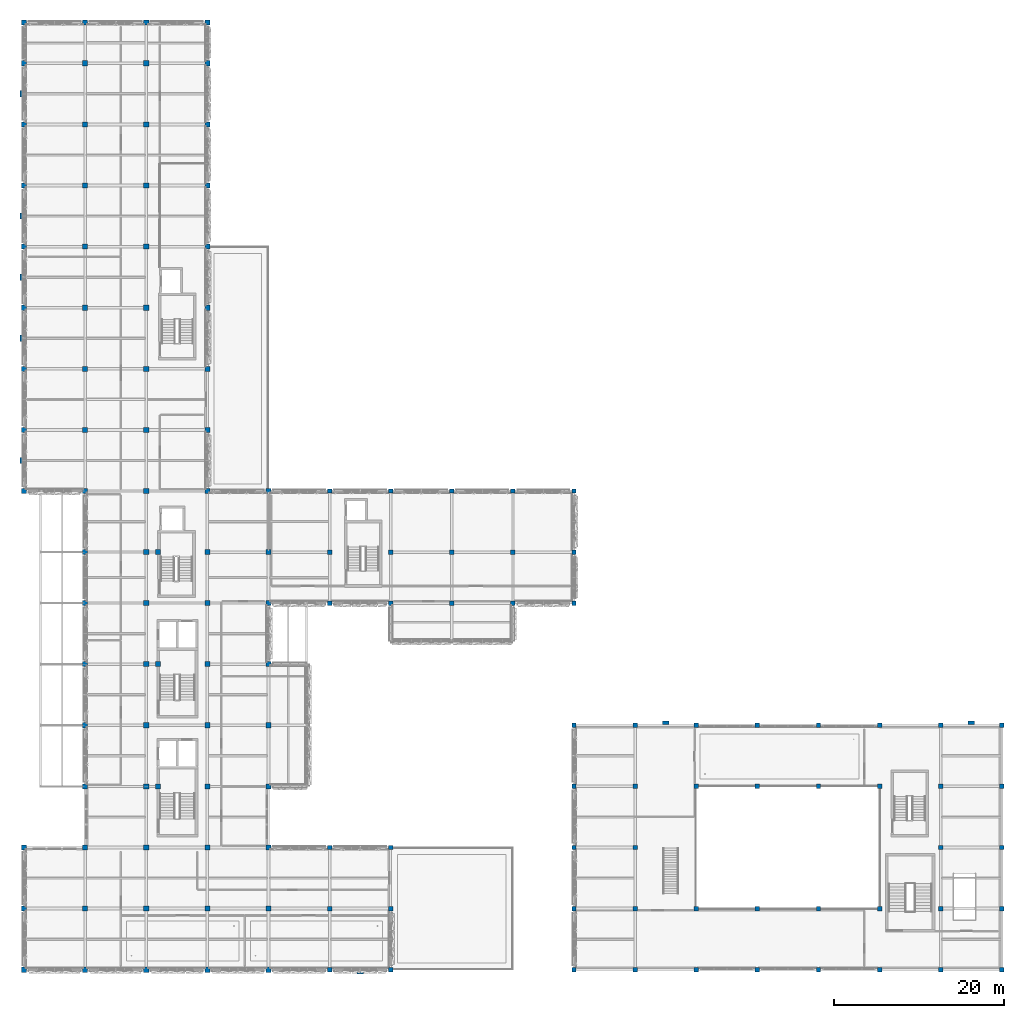
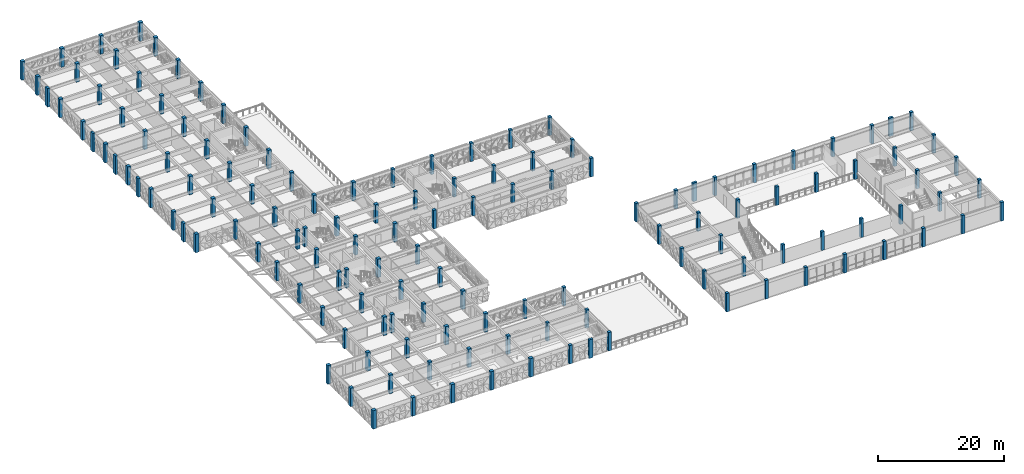
# One storey, part 1 of 99: 140 columns.
"""IFC4 building model written with IfcOpenShell, lengths in metres."""

from ifc_helpers import new_model, si_unit, direction, frame, origin, origin_2d, place, context, subcontext, project, spatial, rectangle, extrude, material, material_profile, profile_set, type_object, element, save


model = new_model("IFC4")

# Units and contexts
model_context = context("Model", 3, precision=1e-05, world=origin(), true_north=direction((0.0, 1.0)))
body_context = subcontext(model_context, "Body", "Model", "MODEL_VIEW")
ifc_project = project(units=[si_unit("LENGTHUNIT", "METRE"), si_unit("AREAUNIT", "SQUARE_METRE"), si_unit("VOLUMEUNIT", "CUBIC_METRE"), si_unit("PLANEANGLEUNIT", "RADIAN"), si_unit("MASSUNIT", "GRAM", prefix="KILO")], contexts=[model_context])

# Site, building, storey
site_placement = place(None, origin())
site = spatial("IfcSite", under=ifc_project, at=site_placement, CompositionType="ELEMENT")
building_placement = place(site_placement, origin())
building = spatial("IfcBuilding", under=site, at=building_placement, Name="Alvorim Cloister Faculty of Sciences", CompositionType="ELEMENT")
storey_placement = place(building_placement, frame((0.0, 0.0, 12.14990234375)))
storey = spatial("IfcBuildingStorey", under=building, at=storey_placement, Name="L03", CompositionType="ELEMENT", Elevation=12.14990234375)

# Columns
ifc_material_1 = material(Name="Glulam GL32h", Category="wood")
ifc_material_profile_1 = material_profile(ifc_material_1, rectangle(XDim=0.52001953125, YDim=0.52001953125, at=origin_2d()), Name="GL32-COL-520x520")
ifc_profile_set_1 = profile_set([ifc_material_profile_1], Name="Glulam GL32h")
column_type_1 = type_object("IfcColumnType", Name="COL-GL-520", PredefinedType="COLUMN", material=ifc_profile_set_1)
for number, where, z_axis, x_axis, name in (
    (1, (36.0, 0.0, 0.0), (0.0, 0.0, 1.0), (1.0, 0.0, 0.0), "L03 Column COL-0773"),
    (2, (36.0, 7.199951171875, 0.0), (0.0, 0.0, 1.0), (1.0, 0.0, 0.0), "L03 Column COL-0774"),
    (3, (36.0, 14.39990234375, 0.0), (0.0, 0.0, 1.0), (1.0, 0.0, 0.0), "L03 Column COL-0775"),
    (4, (36.0, 43.199951171875, 0.0), (0.0, 0.0, 1.0), (1.0, 0.0, 0.0), "L03 Column COL-0776"),
    (5, (36.0, 49.199951171875, 0.0), (0.0, 0.0, 1.0), (1.0, 0.0, 0.0), "L03 Column COL-0777"),
    (6, (36.0, 56.39990234375, 0.0), (0.0, 0.0, 1.0), (1.0, 0.0, 0.0), "L03 Column COL-0778"),
    (7, (43.199951171875, 0.0, 0.0), (0.0, 0.0, 1.0), (1.0, 0.0, 0.0), "L03 Column COL-0779"),
    (8, (43.199951171875, 7.199951171875, 0.0), (0.0, 0.0, 1.0), (1.0, 0.0, 0.0), "L03 Column COL-0780"),
    (9, (43.199951171875, 14.39990234375, 0.0), (0.0, 0.0, 1.0), (1.0, 0.0, 0.0), "L03 Column COL-0781"),
    (10, (43.199951171875, 43.199951171875, 0.0), (0.0, 0.0, 1.0), (1.0, 0.0, 0.0), "L03 Column COL-0782"),
    (11, (43.199951171875, 49.199951171875, 0.0), (0.0, 0.0, 1.0), (1.0, 0.0, 0.0), "L03 Column COL-0783"),
    (12, (43.199951171875, 56.39990234375, 0.0), (0.0, 0.0, 1.0), (1.0, 0.0, 0.0), "L03 Column COL-0784"),
    (13, (50.39990234375, 43.199951171875, 0.0), (0.0, 0.0, 1.0), (1.0, 0.0, 0.0), "L03 Column COL-0785"),
    (14, (50.39990234375, 49.199951171875, 0.0), (0.0, 0.0, 1.0), (1.0, 0.0, 0.0), "L03 Column COL-0786"),
    (15, (50.39990234375, 56.39990234375, 0.0), (0.0, 0.0, 1.0), (1.0, 0.0, 0.0), "L03 Column COL-0787"),
    (16, (57.60009765625, 43.199951171875, 0.0), (0.0, 0.0, 1.0), (1.0, 0.0, 0.0), "L03 Column COL-0788"),
    (17, (57.60009765625, 49.199951171875, 0.0), (0.0, 0.0, 1.0), (1.0, 0.0, 0.0), "L03 Column COL-0789"),
    (18, (57.60009765625, 56.39990234375, 0.0), (0.0, 0.0, 1.0), (1.0, 0.0, 0.0), "L03 Column COL-0790"),
    (19, (64.800048828125, 0.0, 0.0), (0.0, 0.0, 1.0), (1.0, 0.0, 0.0), "L03 Column COL-0791"),
    (20, (64.800048828125, 7.199951171875, 0.0), (0.0, 0.0, 1.0), (1.0, 0.0, 0.0), "L03 Column COL-0792"),
    (21, (64.800048828125, 14.39990234375, 0.0), (0.0, 0.0, 1.0), (1.0, 0.0, 0.0), "L03 Column COL-0793"),
    (22, (64.800048828125, 21.60009765625, 0.0), (0.0, 0.0, 1.0), (1.0, 0.0, 0.0), "L03 Column COL-0794"),
    (23, (64.800048828125, 28.800048828125, 0.0), (0.0, 0.0, 1.0), (1.0, 0.0, 0.0), "L03 Column COL-0795"),
    (24, (64.800048828125, 43.199951171875, 0.0), (0.0, 0.0, 1.0), (1.0, 0.0, 0.0), "L03 Column COL-0796"),
    (25, (64.800048828125, 49.199951171875, 0.0), (0.0, 0.0, 1.0), (1.0, 0.0, 0.0), "L03 Column COL-0797"),
    (26, (64.800048828125, 56.39990234375, 0.0), (0.0, 0.0, 1.0), (1.0, 0.0, 0.0), "L03 Column COL-0798"),
    (27, (72.0, 0.0, 0.0), (0.0, 0.0, 1.0), (1.0, 0.0, 0.0), "L03 Column COL-0799"),
    (28, (72.0, 7.199951171875, 0.0), (0.0, 0.0, 1.0), (1.0, 0.0, 0.0), "L03 Column COL-0800"),
    (29, (72.0, 14.39990234375, 0.0), (0.0, 0.0, 1.0), (1.0, 0.0, 0.0), "L03 Column COL-0801"),
    (30, (72.0, 21.60009765625, 0.0), (0.0, 0.0, 1.0), (1.0, 0.0, 0.0), "L03 Column COL-0802"),
    (31, (72.0, 28.800048828125, 0.0), (0.0, 0.0, 1.0), (1.0, 0.0, 0.0), "L03 Column COL-0803"),
    (32, (79.199951171875, 0.0, 0.0), (0.0, 0.0, 1.0), (1.0, 0.0, 0.0), "L03 Column COL-0804"),
    (33, (79.199951171875, 7.199951171875, 0.0), (0.0, 0.0, 1.0), (1.0, 0.0, 0.0), "L03 Column COL-0805"),
    (34, (79.199951171875, 21.60009765625, 0.0), (0.0, 0.0, 1.0), (1.0, 0.0, 0.0), "L03 Column COL-0806"),
    (35, (79.199951171875, 28.800048828125, 0.0), (0.0, 0.0, 1.0), (1.0, 0.0, 0.0), "L03 Column COL-0807"),
    (36, (86.39990234375, 0.0, 0.0), (0.0, 0.0, 1.0), (1.0, 0.0, 0.0), "L03 Column COL-0808"),
    (37, (86.39990234375, 7.199951171875, 0.0), (0.0, 0.0, 1.0), (1.0, 0.0, 0.0), "L03 Column COL-0809"),
    (38, (86.39990234375, 21.60009765625, 0.0), (0.0, 0.0, 1.0), (1.0, 0.0, 0.0), "L03 Column COL-0810"),
    (39, (86.39990234375, 28.800048828125, 0.0), (0.0, 0.0, 1.0), (1.0, 0.0, 0.0), "L03 Column COL-0811"),
    (40, (93.60009765625, 0.0, 0.0), (0.0, 0.0, 1.0), (1.0, 0.0, 0.0), "L03 Column COL-0812"),
    (41, (93.60009765625, 7.199951171875, 0.0), (0.0, 0.0, 1.0), (1.0, 0.0, 0.0), "L03 Column COL-0813"),
    (42, (93.60009765625, 21.60009765625, 0.0), (0.0, 0.0, 1.0), (1.0, 0.0, 0.0), "L03 Column COL-0814"),
    (43, (93.60009765625, 28.800048828125, 0.0), (0.0, 0.0, 1.0), (1.0, 0.0, 0.0), "L03 Column COL-0815"),
    (44, (100.800048828125, 0.0, 0.0), (0.0, 0.0, 1.0), (1.0, 0.0, 0.0), "L03 Column COL-0816"),
    (45, (100.800048828125, 7.199951171875, 0.0), (0.0, 0.0, 1.0), (1.0, 0.0, 0.0), "L03 Column COL-0817"),
    (46, (100.800048828125, 21.60009765625, 0.0), (0.0, 0.0, 1.0), (1.0, 0.0, 0.0), "L03 Column COL-0818"),
    (47, (100.800048828125, 28.800048828125, 0.0), (0.0, 0.0, 1.0), (1.0, 0.0, 0.0), "L03 Column COL-0819"),
    (48, (108.0, 0.0, 0.0), (0.0, 0.0, 1.0), (1.0, 0.0, 0.0), "L03 Column COL-0820"),
    (49, (108.0, 7.199951171875, 0.0), (0.0, 0.0, 1.0), (1.0, 0.0, 0.0), "L03 Column COL-0821"),
    (50, (108.0, 14.39990234375, 0.0), (0.0, 0.0, 1.0), (1.0, 0.0, 0.0), "L03 Column COL-0822"),
    (51, (108.0, 21.60009765625, 0.0), (0.0, 0.0, 1.0), (1.0, 0.0, 0.0), "L03 Column COL-0823"),
    (52, (108.0, 28.800048828125, 0.0), (0.0, 0.0, 1.0), (1.0, 0.0, 0.0), "L03 Column COL-0824"),
    (53, (115.199951171875, 0.0, 0.0), (0.0, 0.0, 1.0), (1.0, 0.0, 0.0), "L03 Column COL-0825"),
    (54, (115.199951171875, 7.199951171875, 0.0), (0.0, 0.0, 1.0), (1.0, 0.0, 0.0), "L03 Column COL-0826"),
    (55, (115.199951171875, 14.39990234375, 0.0), (0.0, 0.0, 1.0), (1.0, 0.0, 0.0), "L03 Column COL-0827"),
    (56, (115.199951171875, 21.60009765625, 0.0), (0.0, 0.0, 1.0), (1.0, 0.0, 0.0), "L03 Column COL-0828"),
    (57, (115.199951171875, 28.800048828125, 0.0), (0.0, 0.0, 1.0), (1.0, 0.0, 0.0), "L03 Column COL-0829"),
):
    element("IfcColumn", number, at=place(storey_placement, frame(where, z_axis=z_axis, x_axis=x_axis)), inside=storey, type_object=column_type_1, Name=name, PredefinedType="COLUMN", context=body_context, shape_type="SweptSolid", body=[
        extrude(rectangle(XDim=0.52001953125, YDim=0.52001953125, at=origin_2d()), origin(), (0.0, 0.0, 1.0), 3.60009765625),
    ])
ifc_material_profile_2 = material_profile(ifc_material_1, rectangle(XDim=0.60009765625, YDim=0.60009765625, at=origin_2d()), Name="GL32-COL-600x600")
ifc_profile_set_2 = profile_set([ifc_material_profile_2], Name="Glulam GL32h")
column_type_2 = type_object("IfcColumnType", Name="COL-GL-600", PredefinedType="COLUMN", material=ifc_profile_set_2)
for number, where, z_axis, x_axis, name in (
    (58, (0.0, 0.0, 0.0), (0.0, 0.0, 1.0), (1.0, 0.0, 0.0), "L03 Column COL-0698"),
    (59, (0.0, 7.199951171875, 0.0), (0.0, 0.0, 1.0), (1.0, 0.0, 0.0), "L03 Column COL-0699"),
    (60, (0.0, 14.39990234375, 0.0), (0.0, 0.0, 1.0), (1.0, 0.0, 0.0), "L03 Column COL-0700"),
    (61, (0.0, 56.39990234375, 0.0), (0.0, 0.0, 1.0), (1.0, 0.0, 0.0), "L03 Column COL-0701"),
    (62, (0.0, 63.60009765625, 0.0), (0.0, 0.0, 1.0), (1.0, 0.0, 0.0), "L03 Column COL-0702"),
    (63, (0.0, 70.800048828125, 0.0), (0.0, 0.0, 1.0), (1.0, 0.0, 0.0), "L03 Column COL-0703"),
    (64, (0.0, 78.0, 0.0), (0.0, 0.0, 1.0), (1.0, 0.0, 0.0), "L03 Column COL-0704"),
    (65, (0.0, 85.199951171875, 0.0), (0.0, 0.0, 1.0), (1.0, 0.0, 0.0), "L03 Column COL-0705"),
    (66, (0.0, 92.39990234375, 0.0), (0.0, 0.0, 1.0), (1.0, 0.0, 0.0), "L03 Column COL-0706"),
    (67, (0.0, 99.60009765625, 0.0), (0.0, 0.0, 1.0), (1.0, 0.0, 0.0), "L03 Column COL-0707"),
    (68, (0.0, 106.800048828125, 0.0), (0.0, 0.0, 1.0), (1.0, 0.0, 0.0), "L03 Column COL-0708"),
    (69, (0.0, 111.60009765625, 0.0), (0.0, 0.0, 1.0), (1.0, 0.0, 0.0), "L03 Column COL-0709"),
    (70, (7.199951171875, 0.0, 0.0), (0.0, 0.0, 1.0), (1.0, 0.0, 0.0), "L03 Column COL-0710"),
    (71, (7.199951171875, 7.199951171875, 0.0), (0.0, 0.0, 1.0), (1.0, 0.0, 0.0), "L03 Column COL-0711"),
    (72, (7.199951171875, 14.39990234375, 0.0), (0.0, 0.0, 1.0), (1.0, 0.0, 0.0), "L03 Column COL-0712"),
    (73, (7.199951171875, 21.60009765625, 0.0), (0.0, 0.0, 1.0), (1.0, 0.0, 0.0), "L03 Column COL-0713"),
    (74, (7.199951171875, 28.800048828125, 0.0), (0.0, 0.0, 1.0), (1.0, 0.0, 0.0), "L03 Column COL-0714"),
    (75, (7.199951171875, 36.0, 0.0), (0.0, 0.0, 1.0), (1.0, 0.0, 0.0), "L03 Column COL-0715"),
    (76, (7.199951171875, 43.199951171875, 0.0), (0.0, 0.0, 1.0), (1.0, 0.0, 0.0), "L03 Column COL-0716"),
    (77, (7.199951171875, 49.199951171875, 0.0), (0.0, 0.0, 1.0), (1.0, 0.0, 0.0), "L03 Column COL-0717"),
    (78, (7.199951171875, 56.39990234375, 0.0), (0.0, 0.0, 1.0), (1.0, 0.0, 0.0), "L03 Column COL-0718"),
    (79, (7.199951171875, 63.60009765625, 0.0), (0.0, 0.0, 1.0), (1.0, 0.0, 0.0), "L03 Column COL-0719"),
    (80, (7.199951171875, 70.800048828125, 0.0), (0.0, 0.0, 1.0), (1.0, 0.0, 0.0), "L03 Column COL-0720"),
    (81, (7.199951171875, 78.0, 0.0), (0.0, 0.0, 1.0), (1.0, 0.0, 0.0), "L03 Column COL-0721"),
    (82, (7.199951171875, 85.199951171875, 0.0), (0.0, 0.0, 1.0), (1.0, 0.0, 0.0), "L03 Column COL-0722"),
    (83, (7.199951171875, 92.39990234375, 0.0), (0.0, 0.0, 1.0), (1.0, 0.0, 0.0), "L03 Column COL-0723"),
    (84, (7.199951171875, 99.60009765625, 0.0), (0.0, 0.0, 1.0), (1.0, 0.0, 0.0), "L03 Column COL-0724"),
    (85, (7.199951171875, 106.800048828125, 0.0), (0.0, 0.0, 1.0), (1.0, 0.0, 0.0), "L03 Column COL-0725"),
    (86, (7.199951171875, 111.60009765625, 0.0), (0.0, 0.0, 1.0), (1.0, 0.0, 0.0), "L03 Column COL-0726"),
    (87, (14.39990234375, 0.0, 0.0), (0.0, 0.0, 1.0), (1.0, 0.0, 0.0), "L03 Column COL-0727"),
    (88, (14.39990234375, 7.199951171875, 0.0), (0.0, 0.0, 1.0), (1.0, 0.0, 0.0), "L03 Column COL-0728"),
    (89, (14.39990234375, 14.39990234375, 0.0), (0.0, 0.0, 1.0), (1.0, 0.0, 0.0), "L03 Column COL-0729"),
    (90, (14.39990234375, 21.60009765625, 0.0), (0.0, 0.0, 1.0), (1.0, 0.0, 0.0), "L03 Column COL-0730"),
    (91, (14.39990234375, 28.800048828125, 0.0), (0.0, 0.0, 1.0), (1.0, 0.0, 0.0), "L03 Column COL-0731"),
    (92, (14.39990234375, 36.0, 0.0), (0.0, 0.0, 1.0), (1.0, 0.0, 0.0), "L03 Column COL-0732"),
    (93, (14.39990234375, 43.199951171875, 0.0), (0.0, 0.0, 1.0), (1.0, 0.0, 0.0), "L03 Column COL-0733"),
    (94, (14.39990234375, 49.199951171875, 0.0), (0.0, 0.0, 1.0), (1.0, 0.0, 0.0), "L03 Column COL-0734"),
    (95, (14.39990234375, 56.39990234375, 0.0), (0.0, 0.0, 1.0), (1.0, 0.0, 0.0), "L03 Column COL-0735"),
    (96, (14.39990234375, 63.60009765625, 0.0), (0.0, 0.0, 1.0), (1.0, 0.0, 0.0), "L03 Column COL-0736"),
    (97, (14.39990234375, 70.800048828125, 0.0), (0.0, 0.0, 1.0), (1.0, 0.0, 0.0), "L03 Column COL-0737"),
    (98, (14.39990234375, 78.0, 0.0), (0.0, 0.0, 1.0), (1.0, 0.0, 0.0), "L03 Column COL-0738"),
    (99, (14.39990234375, 85.199951171875, 0.0), (0.0, 0.0, 1.0), (1.0, 0.0, 0.0), "L03 Column COL-0739"),
    (100, (14.39990234375, 92.39990234375, 0.0), (0.0, 0.0, 1.0), (1.0, 0.0, 0.0), "L03 Column COL-0740"),
    (101, (14.39990234375, 99.60009765625, 0.0), (0.0, 0.0, 1.0), (1.0, 0.0, 0.0), "L03 Column COL-0741"),
    (102, (14.39990234375, 106.800048828125, 0.0), (0.0, 0.0, 1.0), (1.0, 0.0, 0.0), "L03 Column COL-0742"),
    (103, (14.39990234375, 111.60009765625, 0.0), (0.0, 0.0, 1.0), (1.0, 0.0, 0.0), "L03 Column COL-0743"),
    (104, (15.800048828125, 21.60009765625, 0.0), (0.0, 0.0, 1.0), (1.0, 0.0, 0.0), "L03 Column COL-0744"),
    (105, (15.800048828125, 36.0, 0.0), (0.0, 0.0, 1.0), (1.0, 0.0, 0.0), "L03 Column COL-0745"),
    (106, (15.800048828125, 49.199951171875, 0.0), (0.0, 0.0, 1.0), (1.0, 0.0, 0.0), "L03 Column COL-0746"),
    (107, (21.60009765625, 0.0, 0.0), (0.0, 0.0, 1.0), (1.0, 0.0, 0.0), "L03 Column COL-0747"),
    (108, (21.60009765625, 7.199951171875, 0.0), (0.0, 0.0, 1.0), (1.0, 0.0, 0.0), "L03 Column COL-0748"),
    (109, (21.60009765625, 14.39990234375, 0.0), (0.0, 0.0, 1.0), (1.0, 0.0, 0.0), "L03 Column COL-0749"),
    (110, (21.60009765625, 21.60009765625, 0.0), (0.0, 0.0, 1.0), (1.0, 0.0, 0.0), "L03 Column COL-0750"),
    (111, (21.60009765625, 28.800048828125, 0.0), (0.0, 0.0, 1.0), (1.0, 0.0, 0.0), "L03 Column COL-0751"),
    (112, (21.60009765625, 36.0, 0.0), (0.0, 0.0, 1.0), (1.0, 0.0, 0.0), "L03 Column COL-0752"),
    (113, (21.60009765625, 43.199951171875, 0.0), (0.0, 0.0, 1.0), (1.0, 0.0, 0.0), "L03 Column COL-0753"),
    (114, (21.60009765625, 49.199951171875, 0.0), (0.0, 0.0, 1.0), (1.0, 0.0, 0.0), "L03 Column COL-0754"),
    (115, (21.60009765625, 56.39990234375, 0.0), (0.0, 0.0, 1.0), (1.0, 0.0, 0.0), "L03 Column COL-0755"),
    (116, (21.60009765625, 63.60009765625, 0.0), (0.0, 0.0, 1.0), (1.0, 0.0, 0.0), "L03 Column COL-0756"),
    (117, (21.60009765625, 70.800048828125, 0.0), (0.0, 0.0, 1.0), (1.0, 0.0, 0.0), "L03 Column COL-0757"),
    (118, (21.60009765625, 78.0, 0.0), (0.0, 0.0, 1.0), (1.0, 0.0, 0.0), "L03 Column COL-0758"),
    (119, (21.60009765625, 85.199951171875, 0.0), (0.0, 0.0, 1.0), (1.0, 0.0, 0.0), "L03 Column COL-0759"),
    (120, (21.60009765625, 92.39990234375, 0.0), (0.0, 0.0, 1.0), (1.0, 0.0, 0.0), "L03 Column COL-0760"),
    (121, (21.60009765625, 99.60009765625, 0.0), (0.0, 0.0, 1.0), (1.0, 0.0, 0.0), "L03 Column COL-0761"),
    (122, (21.60009765625, 106.800048828125, 0.0), (0.0, 0.0, 1.0), (1.0, 0.0, 0.0), "L03 Column COL-0762"),
    (123, (21.60009765625, 111.60009765625, 0.0), (0.0, 0.0, 1.0), (1.0, 0.0, 0.0), "L03 Column COL-0763"),
    (124, (28.800048828125, 0.0, 0.0), (0.0, 0.0, 1.0), (1.0, 0.0, 0.0), "L03 Column COL-0764"),
    (125, (28.800048828125, 7.199951171875, 0.0), (0.0, 0.0, 1.0), (1.0, 0.0, 0.0), "L03 Column COL-0765"),
    (126, (28.800048828125, 14.39990234375, 0.0), (0.0, 0.0, 1.0), (1.0, 0.0, 0.0), "L03 Column COL-0766"),
    (127, (28.800048828125, 21.60009765625, 0.0), (0.0, 0.0, 1.0), (1.0, 0.0, 0.0), "L03 Column COL-0767"),
    (128, (28.800048828125, 28.800048828125, 0.0), (0.0, 0.0, 1.0), (1.0, 0.0, 0.0), "L03 Column COL-0768"),
    (129, (28.800048828125, 36.0, 0.0), (0.0, 0.0, 1.0), (1.0, 0.0, 0.0), "L03 Column COL-0769"),
    (130, (28.800048828125, 43.199951171875, 0.0), (0.0, 0.0, 1.0), (1.0, 0.0, 0.0), "L03 Column COL-0770"),
    (131, (28.800048828125, 49.199951171875, 0.0), (0.0, 0.0, 1.0), (1.0, 0.0, 0.0), "L03 Column COL-0771"),
    (132, (28.800048828125, 56.39990234375, 0.0), (0.0, 0.0, 1.0), (1.0, 0.0, 0.0), "L03 Column COL-0772"),
):
    element("IfcColumn", number, at=place(storey_placement, frame(where, z_axis=z_axis, x_axis=x_axis)), inside=storey, type_object=column_type_2, Name=name, PredefinedType="COLUMN", context=body_context, shape_type="SweptSolid", body=[
        extrude(rectangle(XDim=0.60009765625, YDim=0.60009765625, at=origin_2d()), origin(), (0.0, 0.0, 1.0), 3.60009765625),
    ])
ifc_material_2 = material(Name="Precast Concrete C40", Category="concrete")
ifc_material_profile_3 = material_profile(ifc_material_2, rectangle(XDim=0.39990234375, YDim=0.75, at=origin_2d()), Name="RC40-PIL-400x750")
ifc_profile_set_3 = profile_set([ifc_material_profile_3], Name="Precast Concrete C40")
column_type_3 = type_object("IfcColumnType", Name="PIL-PC-400x750", PredefinedType="PILASTER", material=ifc_profile_set_3)
for number, where, z_axis, x_axis, name in (
    (133, (-0.280029296875, 60.0, 0.0), (0.0, 0.0, 1.0), (1.0, 0.0, 0.0), "L03 Gothic Buttress Pier COL-1134"),
    (134, (-0.280029296875, 74.39990234375, 0.0), (0.0, 0.0, 1.0), (1.0, 0.0, 0.0), "L03 Gothic Buttress Pier COL-1140"),
    (135, (-0.280029296875, 81.60009765625, 0.0), (0.0, 0.0, 1.0), (1.0, 0.0, 0.0), "L03 Gothic Buttress Pier COL-1146"),
    (136, (-0.280029296875, 88.800048828125, 0.0), (0.0, 0.0, 1.0), (1.0, 0.0, 0.0), "L03 Gothic Buttress Pier COL-1152"),
    (137, (-0.280029296875, 103.199951171875, 0.0), (0.0, 0.0, 1.0), (1.0, 0.0, 0.0), "L03 Gothic Buttress Pier COL-1158"),
    (138, (39.60009765625, -0.280029296875, 0.0), (0.0, 0.0, 1.0), (0.0, 1.0, 0.0), "L03 Gothic Buttress Pier COL-1176"),
    (139, (75.60009765625, 29.080078125, 0.0), (0.0, 0.0, 1.0), (0.0, 1.0, 0.0), "L03 Gothic Buttress Pier COL-1197"),
    (140, (111.60009765625, 29.080078125, 0.0), (0.0, 0.0, 1.0), (0.0, 1.0, 0.0), "L03 Gothic Buttress Pier COL-1203"),
):
    element("IfcColumn", number, at=place(storey_placement, frame(where, z_axis=z_axis, x_axis=x_axis)), inside=storey, type_object=column_type_3, Name=name, PredefinedType="PILASTER", context=body_context, shape_type="SweptSolid", body=[
        extrude(rectangle(XDim=0.39990234375, YDim=0.75, at=origin_2d()), origin(), (0.0, 0.0, 1.0), 3.60009765625),
    ])

save(model, "model.ifc")
